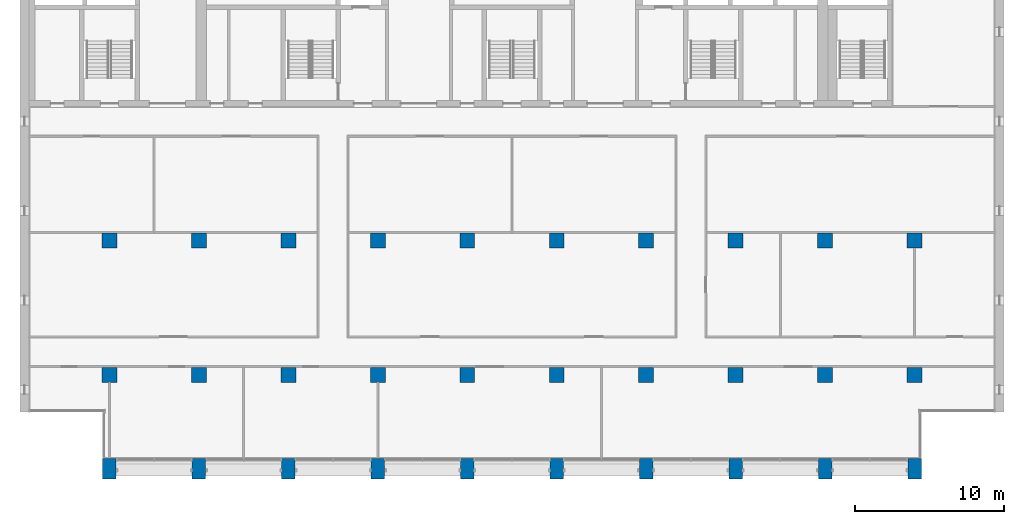
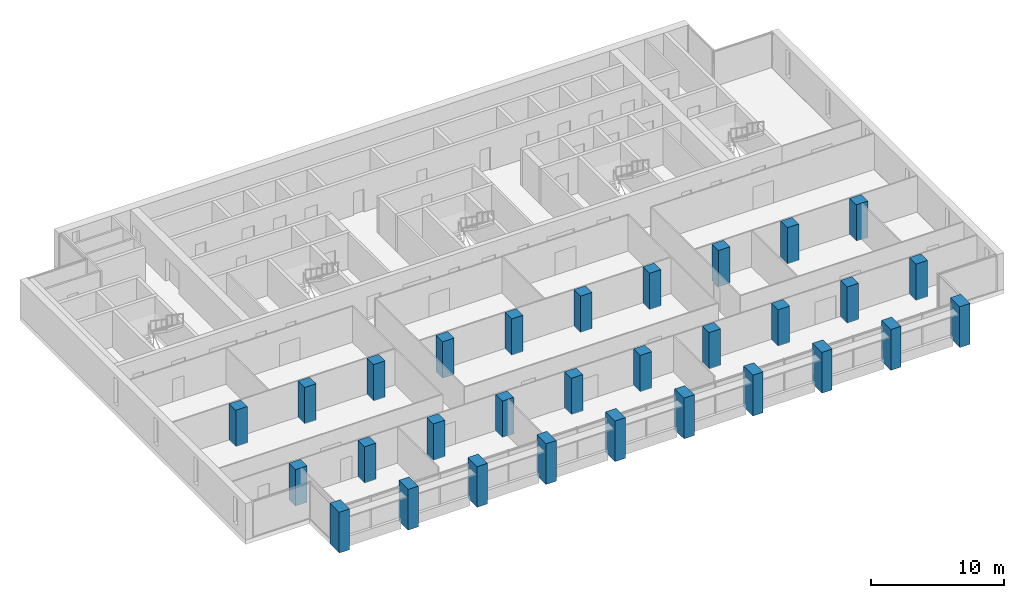
# One storey, part 1 of 17: 30 columns.
"""IFC4 building model written with IfcOpenShell, lengths in metres."""

from ifc_helpers import new_model, si_unit, direction, frame, origin, origin_2d, place, context, subcontext, project, spatial, rectangle, extrude, material, material_profile, profile_set, type_object, element, save


model = new_model("IFC4")

# Units and contexts
model_context = context("Model", 3, precision=1e-05, world=origin(), true_north=direction((0.0, 1.0)))
body_context = subcontext(model_context, "Body", "Model", "MODEL_VIEW")
ifc_project = project(units=[si_unit("LENGTHUNIT", "METRE"), si_unit("AREAUNIT", "SQUARE_METRE"), si_unit("VOLUMEUNIT", "CUBIC_METRE"), si_unit("PLANEANGLEUNIT", "RADIAN"), si_unit("MASSUNIT", "GRAM", prefix="KILO")], contexts=[model_context])

# Site, building, storey
site_placement = place(None, origin())
site = spatial("IfcSite", under=ifc_project, at=site_placement, CompositionType="ELEMENT")
building_placement = place(site_placement, origin())
building = spatial("IfcBuilding", under=site, at=building_placement, Name="Calvaro Tower", CompositionType="ELEMENT")
storey_placement = place(building_placement, frame((0.0, 0.0, 219.25)))
storey = spatial("IfcBuildingStorey", under=building, at=storey_placement, Name="L55", CompositionType="ELEMENT", Elevation=219.25)

# Columns
ifc_material_1 = material(Name="Concrete C50/60", Category="concrete")
ifc_material_profile_1 = material_profile(ifc_material_1, rectangle(XDim=1.0, YDim=1.0, at=origin_2d()), Name="RC 1000x1000")
ifc_profile_set_1 = profile_set([ifc_material_profile_1], Name="Concrete C50/60")
column_type_1 = type_object("IfcColumnType", Name="Column 1000x1000 C50/60", PredefinedType="COLUMN", material=ifc_profile_set_1)
for number, where, z_axis, x_axis, name in (
    (1, (12.0, 10.0, 0.0), (0.0, 0.0, 1.0), (1.0, 0.0, 0.0), "Column 3B"),
    (2, (12.0, 19.0, 0.0), (0.0, 0.0, 1.0), (1.0, 0.0, 0.0), "Column 3C"),
    (3, (18.0, 10.0, 0.0), (0.0, 0.0, 1.0), (1.0, 0.0, 0.0), "Column 4B"),
    (4, (18.0, 19.0, 0.0), (0.0, 0.0, 1.0), (1.0, 0.0, 0.0), "Column 4C"),
    (5, (24.0, 10.0, 0.0), (0.0, 0.0, 1.0), (1.0, 0.0, 0.0), "Column 5B"),
    (6, (24.0, 19.0, 0.0), (0.0, 0.0, 1.0), (1.0, 0.0, 0.0), "Column 5C"),
    (7, (30.0, 10.0, 0.0), (0.0, 0.0, 1.0), (1.0, 0.0, 0.0), "Column 6B"),
    (8, (30.0, 19.0, 0.0), (0.0, 0.0, 1.0), (1.0, 0.0, 0.0), "Column 6C"),
    (9, (36.0, 10.0, 0.0), (0.0, 0.0, 1.0), (1.0, 0.0, 0.0), "Column 7B"),
    (10, (36.0, 19.0, 0.0), (0.0, 0.0, 1.0), (1.0, 0.0, 0.0), "Column 7C"),
    (11, (42.0, 10.0, 0.0), (0.0, 0.0, 1.0), (1.0, 0.0, 0.0), "Column 8B"),
    (12, (42.0, 19.0, 0.0), (0.0, 0.0, 1.0), (1.0, 0.0, 0.0), "Column 8C"),
    (13, (48.0, 10.0, 0.0), (0.0, 0.0, 1.0), (1.0, 0.0, 0.0), "Column 9B"),
    (14, (48.0, 19.0, 0.0), (0.0, 0.0, 1.0), (1.0, 0.0, 0.0), "Column 9C"),
    (15, (54.0, 10.0, 0.0), (0.0, 0.0, 1.0), (1.0, 0.0, 0.0), "Column 10B"),
    (16, (54.0, 19.0, 0.0), (0.0, 0.0, 1.0), (1.0, 0.0, 0.0), "Column 10C"),
    (17, (60.0, 10.0, 0.0), (0.0, 0.0, 1.0), (1.0, 0.0, 0.0), "Column 11B"),
    (18, (60.0, 19.0, 0.0), (0.0, 0.0, 1.0), (1.0, 0.0, 0.0), "Column 11C"),
    (19, (66.0, 10.0, 0.0), (0.0, 0.0, 1.0), (1.0, 0.0, 0.0), "Column 12B"),
    (20, (66.0, 19.0, 0.0), (0.0, 0.0, 1.0), (1.0, 0.0, 0.0), "Column 12C"),
):
    element("IfcColumn", number, at=place(storey_placement, frame(where, z_axis=z_axis, x_axis=x_axis)), inside=storey, type_object=column_type_1, Name=name, PredefinedType="COLUMN", context=body_context, shape_type="SweptSolid", body=[
        extrude(rectangle(XDim=1.0, YDim=1.0, at=origin_2d()), origin(), (0.0, 0.0, 1.0), 3.35009765625),
    ])
ifc_material_2 = material(Name="Concrete C50/60", Category="concrete")
ifc_material_profile_2 = material_profile(ifc_material_2, rectangle(XDim=0.89990234375, YDim=1.39990234375, at=origin_2d()), Name="RC 900x1400")
ifc_profile_set_2 = profile_set([ifc_material_profile_2], Name="Concrete C50/60")
column_type_2 = type_object("IfcColumnType", Name="Pier 900x1400 C50/60", PredefinedType="COLUMN", material=ifc_profile_set_2)
for number, where, z_axis, x_axis, name in (
    (21, (12.0, 3.699951171875, -0.39990234375), (0.0, 0.0, 1.0), (1.0, 0.0, 0.0), "South pier 3"),
    (22, (18.0, 3.699951171875, -0.39990234375), (0.0, 0.0, 1.0), (1.0, 0.0, 0.0), "South pier 4"),
    (23, (24.0, 3.699951171875, -0.39990234375), (0.0, 0.0, 1.0), (1.0, 0.0, 0.0), "South pier 5"),
    (24, (30.0, 3.699951171875, -0.39990234375), (0.0, 0.0, 1.0), (1.0, 0.0, 0.0), "South pier 6"),
    (25, (36.0, 3.699951171875, -0.39990234375), (0.0, 0.0, 1.0), (1.0, 0.0, 0.0), "South pier 7"),
    (26, (42.0, 3.699951171875, -0.39990234375), (0.0, 0.0, 1.0), (1.0, 0.0, 0.0), "South pier 8"),
    (27, (48.0, 3.699951171875, -0.39990234375), (0.0, 0.0, 1.0), (1.0, 0.0, 0.0), "South pier 9"),
    (28, (54.0, 3.699951171875, -0.39990234375), (0.0, 0.0, 1.0), (1.0, 0.0, 0.0), "South pier 10"),
    (29, (60.0, 3.699951171875, -0.39990234375), (0.0, 0.0, 1.0), (1.0, 0.0, 0.0), "South pier 11"),
    (30, (66.0, 3.699951171875, -0.39990234375), (0.0, 0.0, 1.0), (1.0, 0.0, 0.0), "South pier 12"),
):
    element("IfcColumn", number, at=place(storey_placement, frame(where, z_axis=z_axis, x_axis=x_axis)), inside=storey, type_object=column_type_2, Name=name, PredefinedType="COLUMN", context=body_context, shape_type="SweptSolid", body=[
        extrude(rectangle(XDim=0.89990234375, YDim=1.39990234375, at=origin_2d()), origin(), (0.0, 0.0, 1.0), 3.75),
    ])

save(model, "model.ifc")
